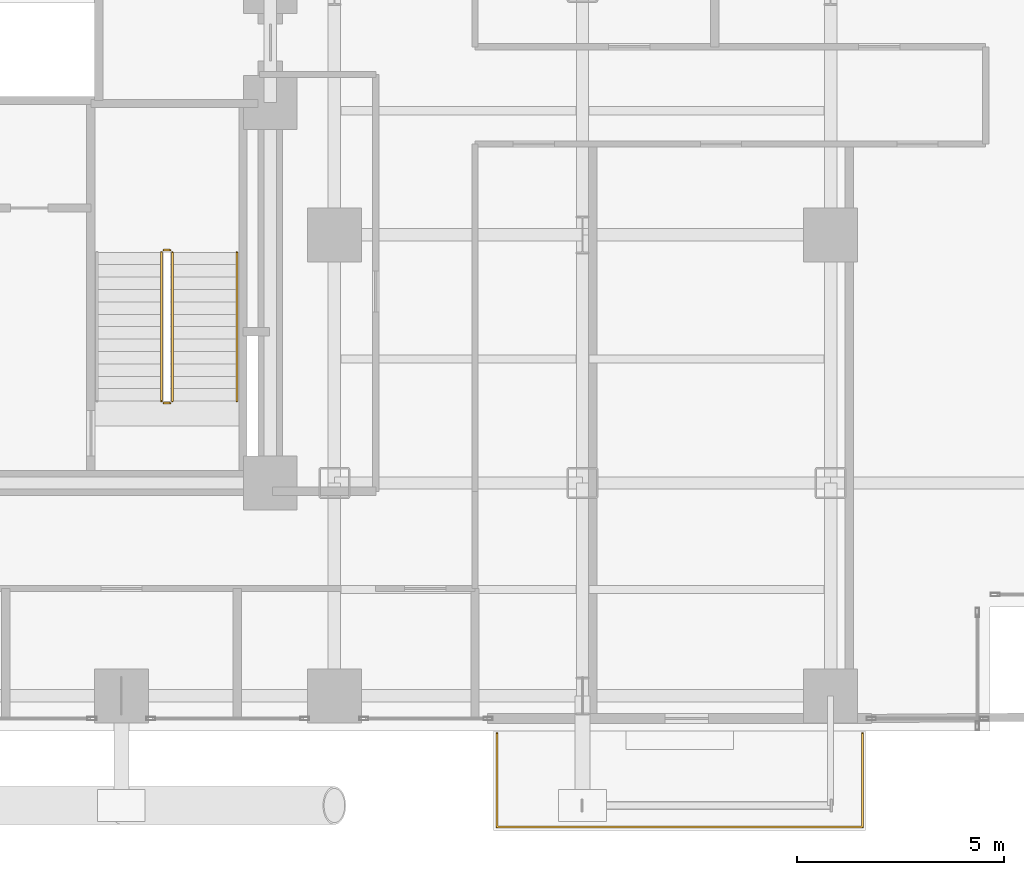
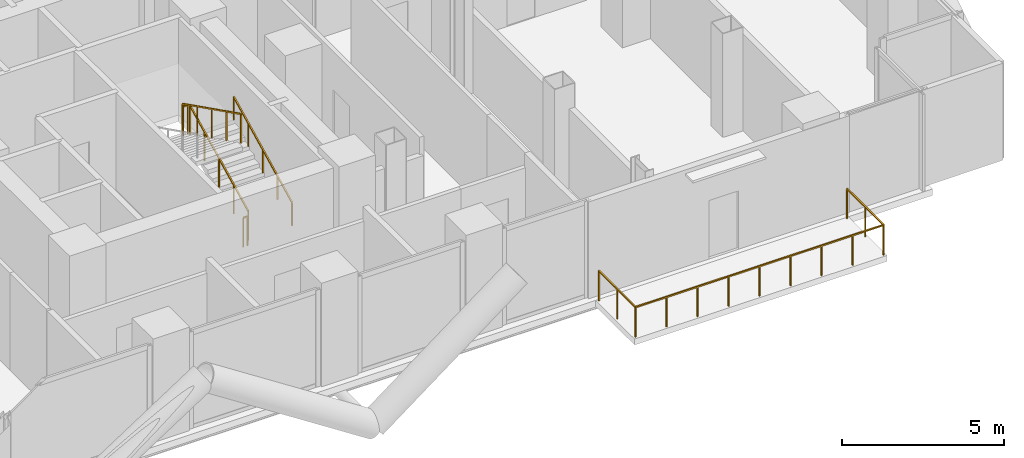
# One storey, part 26 of 27: 6 railings.
"""IFC4 building model written with IfcOpenShell, lengths in metres."""

from ifc_helpers import new_model, si_unit, direction, frame, origin, origin_2d, place, context, subcontext, project, spatial, rectangle, extrude, material, type_object, element, save


model = new_model("IFC4")

# Units and contexts
model_context = context("Model", 3, precision=1e-05, world=origin(), true_north=direction((0.0, 1.0)))
body_context = subcontext(model_context, "Body", "Model", "MODEL_VIEW")
ifc_project = project(units=[si_unit("LENGTHUNIT", "METRE"), si_unit("AREAUNIT", "SQUARE_METRE"), si_unit("VOLUMEUNIT", "CUBIC_METRE"), si_unit("PLANEANGLEUNIT", "RADIAN"), si_unit("MASSUNIT", "GRAM", prefix="KILO"), si_unit("THERMODYNAMICTEMPERATUREUNIT", "KELVIN"), si_unit("POWERUNIT", "WATT")], contexts=[model_context])

# Site, building, storey
site_placement = place(None, origin())
site = spatial("IfcSite", under=ifc_project, at=site_placement, CompositionType="ELEMENT")
building_placement = place(site_placement, origin())
building = spatial("IfcBuilding", under=site, at=building_placement, Name="Svarakhadi Broadcast Tower", CompositionType="ELEMENT")
storey_placement = place(building_placement, frame((0.0, 0.0, 71.39990234375)))
storey = spatial("IfcBuildingStorey", under=building, at=storey_placement, Name="L16", CompositionType="ELEMENT", Elevation=71.39990234375)

# Railings
ifc_material_1 = material(Name="Laminated Structural SentryGlas Balustrade 25.5 mm", Category="glass")
railing_type_1 = type_object("IfcRailingType", Name="Guard_Balcony_GR01", PredefinedType="BALUSTRADE", material=ifc_material_1)
railing_1_placement = place(storey_placement, frame((39.080078125, -0.06005859375, 0.0)))
element("IfcRailing", 1, at=railing_1_placement, inside=storey, type_object=railing_type_1, Name="L16 South Tree Balcony Guard GR-05", PredefinedType="BALUSTRADE", context=body_context, shape_type="SweptSolid", body=[
    extrude(rectangle(XDim=0.048095703125, YDim=0.048095703125, at=origin_2d()), frame((0.0, 0.0, 1.1259765625), z_axis=(0.0, -1.0, 0.0), x_axis=(1.0, 0.0, 0.0)), (0.0, 0.0, 1.0), 2.260009765625),
    extrude(rectangle(XDim=0.048095703125, YDim=0.048095703125, at=origin_2d()), frame((0.0, -2.260009765625, 1.1259765625), z_axis=(1.0, 0.0, 0.0), x_axis=(0.0, 1.0, 0.0)), (0.0, 0.0, 1.0), 8.83984375),
    extrude(rectangle(XDim=0.048095703125, YDim=0.048095703125, at=origin_2d()), frame((8.83984375, -2.260009765625, 1.1259765625), z_axis=(0.0, 1.0, 0.0), x_axis=(-1.0, 0.0, 0.0)), (0.0, 0.0, 1.0), 2.260009765625),
    extrude(rectangle(XDim=0.0419921875, YDim=0.0419921875, at=origin_2d()), origin(), (0.0, 0.0, 1.0), 1.101806640625),
    extrude(rectangle(XDim=0.0419921875, YDim=0.0419921875, at=origin_2d()), frame((0.0, -1.1298828125, 0.0)), (0.0, 0.0, 1.0), 1.101806640625),
    extrude(rectangle(XDim=0.0419921875, YDim=0.0419921875, at=origin_2d()), frame((0.0, -2.260009765625, 0.0)), (0.0, 0.0, 1.0), 1.101806640625),
    extrude(rectangle(XDim=0.0419921875, YDim=0.0419921875, at=origin_2d()), frame((1.10498046875, -2.260009765625, 0.0)), (0.0, 0.0, 1.0), 1.101806640625),
    extrude(rectangle(XDim=0.0419921875, YDim=0.0419921875, at=origin_2d()), frame((2.2099609375, -2.260009765625, 0.0)), (0.0, 0.0, 1.0), 1.101806640625),
    extrude(rectangle(XDim=0.0419921875, YDim=0.0419921875, at=origin_2d()), frame((3.31494140625, -2.260009765625, 0.0)), (0.0, 0.0, 1.0), 1.101806640625),
    extrude(rectangle(XDim=0.0419921875, YDim=0.0419921875, at=origin_2d()), frame((4.419921875, -2.260009765625, 0.0)), (0.0, 0.0, 1.0), 1.101806640625),
    extrude(rectangle(XDim=0.0419921875, YDim=0.0419921875, at=origin_2d()), frame((5.52490234375, -2.260009765625, 0.0)), (0.0, 0.0, 1.0), 1.101806640625),
    extrude(rectangle(XDim=0.0419921875, YDim=0.0419921875, at=origin_2d()), frame((6.6298828125, -2.260009765625, 0.0)), (0.0, 0.0, 1.0), 1.101806640625),
    extrude(rectangle(XDim=0.0419921875, YDim=0.0419921875, at=origin_2d()), frame((7.73486328125, -2.260009765625, 0.0)), (0.0, 0.0, 1.0), 1.101806640625),
    extrude(rectangle(XDim=0.0419921875, YDim=0.0419921875, at=origin_2d()), frame((8.83984375, -2.260009765625, 0.0)), (0.0, 0.0, 1.0), 1.101806640625),
    extrude(rectangle(XDim=0.0419921875, YDim=0.0419921875, at=origin_2d()), frame((8.83984375, -1.1298828125, 0.0)), (0.0, 0.0, 1.0), 1.101806640625),
    extrude(rectangle(XDim=0.0419921875, YDim=0.0419921875, at=origin_2d()), frame((8.83984375, 0.0, 0.0)), (0.0, 0.0, 1.0), 1.101806640625),
])
ifc_material_2 = material(Name="Anodised Bronze Aluminium AA 6063-T6", Category="aluminium")
railing_type_2 = type_object("IfcRailingType", Name="Guard_Stair_GR01", PredefinedType="GUARDRAIL", material=ifc_material_2)
railing_2_placement = place(storey_placement, frame((31.22998046875, 7.97998046875, 0.150146484375)))
element("IfcRailing", 2, at=railing_2_placement, inside=storey, type_object=railing_type_2, Name="L16 ST-02 stair guard 1", PredefinedType="GUARDRAIL", context=body_context, shape_type="SweptSolid", body=[
    extrude(rectangle(XDim=0.048095703125, YDim=0.048095703125, at=origin_2d()), frame((0.0, 0.0, 1.09619140625), z_axis=(0.0, 0.894427191, 0.4472135955), x_axis=(-1.0, 0.0, 0.0)), (0.0, 0.0, 1.0), 4.025146484375),
    extrude(rectangle(XDim=0.0419921875, YDim=0.0419921875, at=origin_2d()), origin(), (0.0, 0.0, 1.0), 1.072021484375),
    extrude(rectangle(XDim=0.0419921875, YDim=0.0419921875, at=origin_2d()), frame((0.0, 0.89990234375, 0.449951171875)), (0.0, 0.0, 1.0), 1.072021484375),
    extrude(rectangle(XDim=0.0419921875, YDim=0.0419921875, at=origin_2d()), frame((0.0, 1.800048828125, 0.89990234375)), (0.0, 0.0, 1.0), 1.072021484375),
    extrude(rectangle(XDim=0.0419921875, YDim=0.0419921875, at=origin_2d()), frame((0.0, 2.7001953125, 1.35009765625)), (0.0, 0.0, 1.0), 1.072021484375),
    extrude(rectangle(XDim=0.0419921875, YDim=0.0419921875, at=origin_2d()), frame((0.0, 3.60009765625, 1.800048828125)), (0.0, 0.0, 1.0), 1.072021484375),
])
railing_3_placement = place(storey_placement, frame((31.179931640625, 11.6298828125, 1.9501953125)))
element("IfcRailing", 3, at=railing_3_placement, inside=storey, type_object=railing_type_2, Name="L16 ST-02 stair guard 2", PredefinedType="GUARDRAIL", context=body_context, shape_type="SweptSolid", body=[
    extrude(rectangle(XDim=0.048095703125, YDim=0.048095703125, at=origin_2d()), frame((0.0, 0.0, 1.09619140625), z_axis=(-1.0, 0.0, 0.0), x_axis=(0.0, -1.0, 0.0)), (0.0, 0.0, 1.0), 0.159912109375),
    extrude(rectangle(XDim=0.0419921875, YDim=0.0419921875, at=origin_2d()), origin(), (0.0, 0.0, 1.0), 1.072021484375),
    extrude(rectangle(XDim=0.0419921875, YDim=0.0419921875, at=origin_2d()), frame((-0.159912109375, 0.0, 0.0)), (0.0, 0.0, 1.0), 1.072021484375),
])
railing_4_placement = place(storey_placement, frame((30.969970703125, 11.580078125, 2.10009765625)))
element("IfcRailing", 4, at=railing_4_placement, inside=storey, type_object=railing_type_2, Name="L16 ST-02 stair guard 3", PredefinedType="GUARDRAIL", context=body_context, shape_type="SweptSolid", body=[
    extrude(rectangle(XDim=0.048095703125, YDim=0.048095703125, at=origin_2d()), frame((0.0, 0.0, 1.09619140625), z_axis=(0.0, -0.894427191, 0.4472135955), x_axis=(1.0, 0.0, 0.0)), (0.0, 0.0, 1.0), 4.025146484375),
    extrude(rectangle(XDim=0.0419921875, YDim=0.0419921875, at=origin_2d()), origin(), (0.0, 0.0, 1.0), 1.072021484375),
    extrude(rectangle(XDim=0.0419921875, YDim=0.0419921875, at=origin_2d()), frame((0.0, -0.89990234375, 0.449951171875)), (0.0, 0.0, 1.0), 1.072021484375),
    extrude(rectangle(XDim=0.0419921875, YDim=0.0419921875, at=origin_2d()), frame((0.0, -1.800048828125, 0.89990234375)), (0.0, 0.0, 1.0), 1.072021484375),
    extrude(rectangle(XDim=0.0419921875, YDim=0.0419921875, at=origin_2d()), frame((0.0, -2.7001953125, 1.35009765625)), (0.0, 0.0, 1.0), 1.072021484375),
    extrude(rectangle(XDim=0.0419921875, YDim=0.0419921875, at=origin_2d()), frame((0.0, -3.60009765625, 1.800048828125)), (0.0, 0.0, 1.0), 1.072021484375),
])
railing_5_placement = place(storey_placement, frame((31.179931640625, 7.929931640625, 0.0)))
element("IfcRailing", 5, at=railing_5_placement, inside=storey, type_object=railing_type_2, Name="L16 ST-02 stair guard 4", PredefinedType="GUARDRAIL", context=body_context, shape_type="SweptSolid", body=[
    extrude(rectangle(XDim=0.048095703125, YDim=0.048095703125, at=origin_2d()), frame((0.0, 0.0, 1.09619140625), z_axis=(-1.0, 0.0, 0.0), x_axis=(0.0, -1.0, 0.0)), (0.0, 0.0, 1.0), 0.159912109375),
    extrude(rectangle(XDim=0.0419921875, YDim=0.0419921875, at=origin_2d()), origin(), (0.0, 0.0, 1.0), 1.072021484375),
    extrude(rectangle(XDim=0.0419921875, YDim=0.0419921875, at=origin_2d()), frame((-0.159912109375, 0.0, 0.0)), (0.0, 0.0, 1.0), 1.072021484375),
])
railing_type_3 = type_object("IfcRailingType", Name="Handrail_Stair_HR01", PredefinedType="HANDRAIL", material=ifc_material_2)
railing_6_placement = place(storey_placement, frame((32.7900390625, 7.97998046875, 0.150146484375)))
element("IfcRailing", 6, at=railing_6_placement, inside=storey, type_object=railing_type_3, Name="L16 ST-02 stair handrail 1", PredefinedType="HANDRAIL", context=body_context, shape_type="SweptSolid", body=[
    extrude(rectangle(XDim=0.048095703125, YDim=0.048095703125, at=origin_2d()), frame((0.0, 0.0, 0.8759765625), z_axis=(0.0, 0.894427191, 0.4472135955), x_axis=(-1.0, 0.0, 0.0)), (0.0, 0.0, 1.0), 4.025146484375),
    extrude(rectangle(XDim=0.0419921875, YDim=0.0419921875, at=origin_2d()), origin(), (0.0, 0.0, 1.0), 0.851806640625),
    extrude(rectangle(XDim=0.0419921875, YDim=0.0419921875, at=origin_2d()), frame((0.0, 0.89990234375, 0.449951171875)), (0.0, 0.0, 1.0), 0.851806640625),
    extrude(rectangle(XDim=0.0419921875, YDim=0.0419921875, at=origin_2d()), frame((0.0, 1.800048828125, 0.89990234375)), (0.0, 0.0, 1.0), 0.851806640625),
    extrude(rectangle(XDim=0.0419921875, YDim=0.0419921875, at=origin_2d()), frame((0.0, 2.7001953125, 1.35009765625)), (0.0, 0.0, 1.0), 0.851806640625),
    extrude(rectangle(XDim=0.0419921875, YDim=0.0419921875, at=origin_2d()), frame((0.0, 3.60009765625, 1.800048828125)), (0.0, 0.0, 1.0), 0.851806640625),
])

save(model, "model.ifc")
